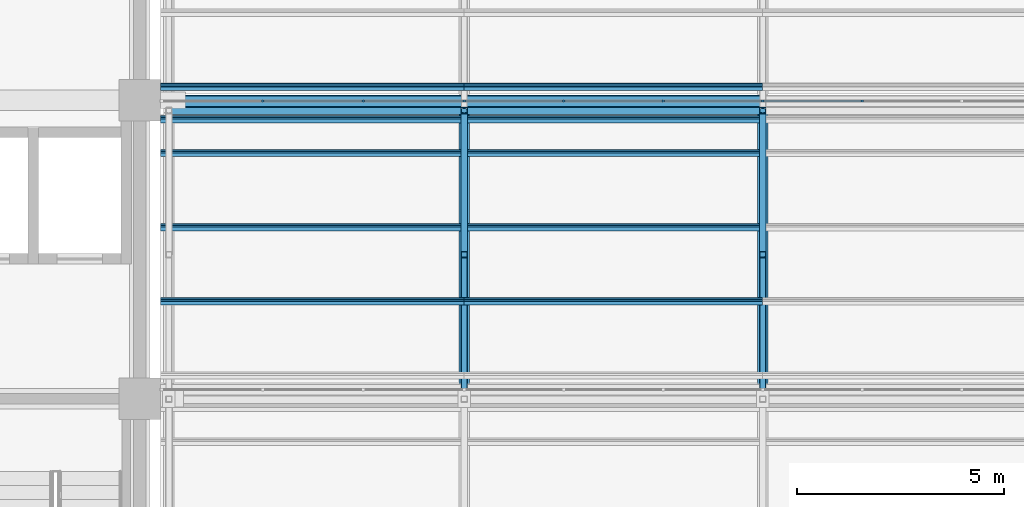
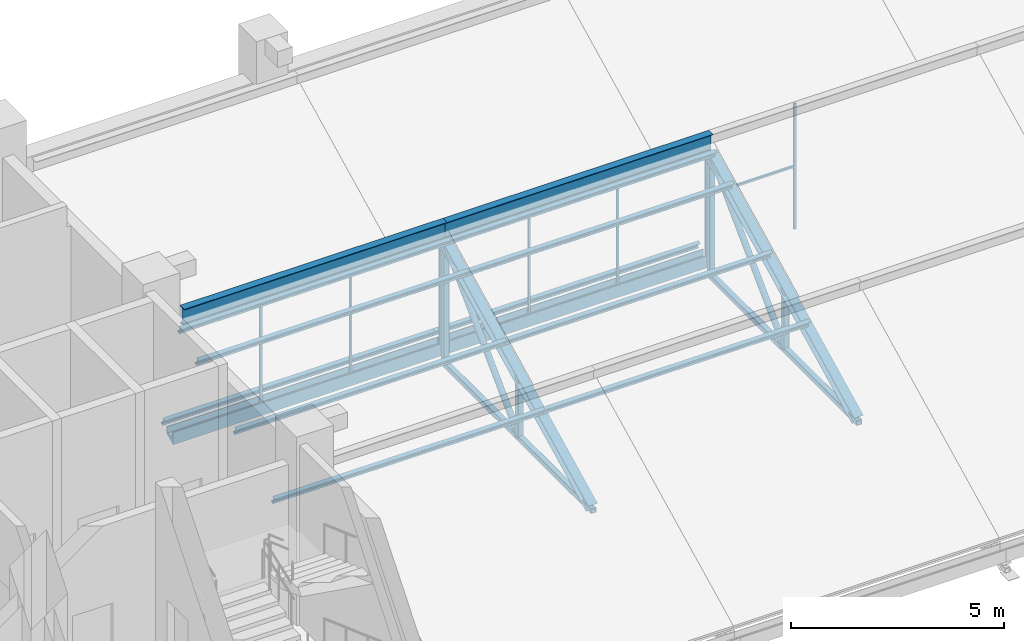
# One storey, part 10 of 83: 37 members, 3 elements without a shape of their own.
"""IFC4 building model written with IfcOpenShell, lengths in metres."""

import ifcopenshell
import ifcopenshell.guid

model = None  # the IFC model being written
_history = None  # IfcOwnerHistory: only IFC2X3 demands one
_inside = {}  # id of a spatial element -> (the spatial element, [elements in it])
_under = {}  # id of a project, library or spatial element -> (it, [spatial elements below it])
_declared = {}  # id of a project -> (the project, [libraries it declares])
_typed = {}  # id of a type object -> (the type object, [elements of that type])
_made_of = {}  # id of a material, layer set ... -> (it, [elements and type objects made of it])


def new_model(schema):
    """Start an empty IFC model of exactly this schema.

    Asked for "IFC4X3", IfcOpenShell would pick the latest addendum, in which some entities
    have other attributes; the version numbers below select the first issue.
    IFC2X3 requires an IfcOwnerHistory on every rooted entity: one is made here for all.
    """
    global model, _history
    if schema == "IFC4X3":
        model = ifcopenshell.file(schema_version=(4, 3, 0, 0))
    else:
        model = ifcopenshell.file(schema=schema)
    _inside.clear()
    _under.clear()
    _declared.clear()
    _typed.clear()
    _made_of.clear()
    _history = None
    if model.schema == "IFC2X3":
        org = make("IfcOrganization", Name="unknown")
        user = make(
            "IfcPersonAndOrganization",
            ThePerson=make("IfcPerson", FamilyName="unknown"),
            TheOrganization=org,
        )
        app = make(
            "IfcApplication",
            ApplicationDeveloper=org,
            Version="unknown",
            ApplicationFullName="unknown",
            ApplicationIdentifier="unknown",
        )
        _history = make(
            "IfcOwnerHistory",
            OwningUser=user,
            OwningApplication=app,
            ChangeAction="ADDED",
            CreationDate=0,
        )
    return model


def make(cls, **values):
    """One entity of the class cls with the attributes given. An attribute that is None is left unset."""
    return model.create_entity(
        cls, **{name: value for name, value in values.items() if value is not None}
    )


def rooted(cls, **values):
    """An entity with a GlobalId (a new one), such as an element, a storey or a relation."""
    return make(cls, GlobalId=ifcopenshell.guid.new(), OwnerHistory=_history, **values)


def si_unit(unit_type, name, prefix=None):
    """IfcSIUnit, for example si_unit("LENGTHUNIT", "METRE", prefix="MILLI")."""
    return make("IfcSIUnit", UnitType=unit_type, Prefix=prefix, Name=name)


def assignment(units):
    """IfcUnitAssignment: the units of a project."""
    return None if units is None else make("IfcUnitAssignment", Units=units)


def point(xyz):
    """IfcCartesianPoint."""
    return None if xyz is None else make("IfcCartesianPoint", Coordinates=xyz)


def direction(xyz):
    """IfcDirection."""
    return None if xyz is None else make("IfcDirection", DirectionRatios=xyz)


def frame(location, z_axis=None, x_axis=None):
    """IfcAxis2Placement3D, a coordinate frame: its origin and axes. An axis left out is left unset."""
    return make(
        "IfcAxis2Placement3D",
        Location=point(location),
        Axis=direction(z_axis),
        RefDirection=direction(x_axis),
    )


def frame_2d(location, x_axis=None):
    """IfcAxis2Placement2D, a coordinate frame in the plane: its origin and x axis."""
    return make(
        "IfcAxis2Placement2D", Location=point(location), RefDirection=direction(x_axis)
    )


def origin():
    """The frame at (0, 0, 0) with its axes left unset."""
    return frame((0.0, 0.0, 0.0))


def origin_2d():
    """The frame at (0, 0) in the plane with its x axis left unset."""
    return frame_2d((0.0, 0.0))


def place(relative_to, where):
    """IfcLocalPlacement: puts the frame where relative to a parent placement (None: the world)."""
    return make(
        "IfcLocalPlacement", PlacementRelTo=relative_to, RelativePlacement=where
    )


def context(
    kind, dimensions, precision=None, world=None, true_north=None, identifier=None
):
    """IfcGeometricRepresentationContext, for example the 3D "Model" context."""
    return make(
        "IfcGeometricRepresentationContext",
        ContextIdentifier=identifier,
        ContextType=kind,
        CoordinateSpaceDimension=dimensions,
        Precision=precision,
        WorldCoordinateSystem=world,
        TrueNorth=true_north,
    )


def subcontext(parent, identifier, kind, view, scale=None):
    """IfcGeometricRepresentationSubContext, for example "Body" below "Model"."""
    return make(
        "IfcGeometricRepresentationSubContext",
        ContextIdentifier=identifier,
        ContextType=kind,
        ParentContext=parent,
        TargetScale=scale,
        TargetView=view,
    )


def project(units=None, contexts=None):
    """IfcProject with its units and contexts."""
    return rooted(
        "IfcProject",
        Name="project",
        RepresentationContexts=contexts,
        UnitsInContext=assignment(units),
    )


def spatial(cls, under=None, at=None, **own):
    """A site, building, storey or space (cls), placed at a placement, below another one or the project."""
    s = rooted(cls, ObjectPlacement=at, **own)
    if under is not None:
        _under.setdefault(under.id(), (under, []))[1].append(s)
    return s


def polyline(points):
    """IfcPolyline through the points."""
    return make("IfcPolyline", Points=[point(p) for p in points])


def profile(cls, at=None, kind="AREA", **sizes):
    """A parametric profile (cls). Its sizes go by their IFC names, for example OverallWidth=200.0."""
    return make(cls, ProfileType=kind, Position=at, **sizes)


def rectangle(**sizes):
    """IfcRectangleProfileDef."""
    return profile("IfcRectangleProfileDef", **sizes)


def hollow_rectangle(**sizes):
    """IfcRectangleHollowProfileDef."""
    return profile("IfcRectangleHollowProfileDef", **sizes)


def hollow_circle(**sizes):
    """IfcCircleHollowProfileDef."""
    return profile("IfcCircleHollowProfileDef", **sizes)


def i_section(**sizes):
    """IfcIShapeProfileDef."""
    return profile("IfcIShapeProfileDef", **sizes)


def outline(outer, holes=None, kind="AREA"):
    """IfcArbitraryClosedProfileDef: a profile drawn as a closed curve; with holes, ...WithVoids."""
    if holes is None:
        return make("IfcArbitraryClosedProfileDef", ProfileType=kind, OuterCurve=outer)
    return make(
        "IfcArbitraryProfileDefWithVoids",
        ProfileType=kind,
        OuterCurve=outer,
        InnerCurves=holes,
    )


def extrude(swept, where, along, depth):
    """IfcExtrudedAreaSolid: the profile swept, set in the frame where, extruded along a direction by depth."""
    return make(
        "IfcExtrudedAreaSolid",
        SweptArea=swept,
        Position=where,
        ExtrudedDirection=direction(along),
        Depth=depth,
    )


def shape(context_of_items, identifier, shape_type, items):
    """IfcShapeRepresentation: the items that make up one representation, for example the "Body"."""
    return make(
        "IfcShapeRepresentation",
        ContextOfItems=context_of_items,
        RepresentationIdentifier=identifier,
        RepresentationType=shape_type,
        Items=items,
    )


def material(Name=None, Category=None):
    """IfcMaterial."""
    return make("IfcMaterial", Name=Name, Category=Category)


def material_profile(
    of_material, cross_section, Name=None, Category=None, Priority=None
):
    """IfcMaterialProfile: a cross section and its material."""
    return make(
        "IfcMaterialProfile",
        Name=Name,
        Material=of_material,
        Profile=cross_section,
        Priority=Priority,
        Category=Category,
    )


def profile_set(profiles, Name=None, composite=None):
    """IfcMaterialProfileSet."""
    return make(
        "IfcMaterialProfileSet",
        Name=Name,
        MaterialProfiles=profiles,
        CompositeProfile=composite,
    )


def made_of(thing, what):
    """Note that an element or type object is made of a material, layer set ...; save() writes the relation."""
    if what is not None:
        _made_of.setdefault(what.id(), (what, []))[1].append(thing)
    return thing


def type_object(cls, material=None, **own):
    """A type object (cls), such as IfcWallType, which elements share."""
    return made_of(rooted(cls, **own), material)


def element(
    cls,
    number,
    at=None,
    inside=None,
    cuts=None,
    type_object=None,
    material=None,
    context=None,
    identifier="Body",
    shape_type=None,
    held_by="IfcProductDefinitionShape",
    body=None,
    shapes=None,
    **own,
):
    """One element of the class cls, such as IfcWall. Its Tag is "e" and its number.

    at: its placement. inside: the storey or other place that contains it. cuts: it is an
    opening in that element (IfcRelVoidsElement). A single representation is given by context,
    identifier, shape_type and body (its items); several are given by shapes. held_by: the class
    of the entity that holds the representations. save() writes the other relations.
    """
    e = rooted(cls, Tag="e%d" % number, ObjectPlacement=at, **own)
    if body is not None:
        shapes = [shape(context, identifier, shape_type, body)]
    if shapes is not None:
        e.Representation = make(held_by, Representations=shapes)
    if inside is not None:
        _inside.setdefault(inside.id(), (inside, []))[1].append(e)
    if cuts is not None:
        rooted(
            "IfcRelVoidsElement", RelatingBuildingElement=cuts, RelatedOpeningElement=e
        )
    if type_object is not None:
        _typed.setdefault(type_object.id(), (type_object, []))[1].append(e)
    return made_of(e, material)


def aggregate(whole, parts):
    """IfcRelAggregates: a whole, such as a stair, and the parts it consists of."""
    return rooted("IfcRelAggregates", RelatingObject=whole, RelatedObjects=parts)


def save(model, path):
    """Write the relations noted so far, then the file.

    IfcRelAggregates (storeys below a building ...), IfcRelContainedInSpatialStructure (elements
    in a storey), IfcRelDefinesByType, IfcRelAssociatesMaterial and IfcRelDeclares: one each for
    every whole, place, type object, material and project.
    """
    for whole, parts in _under.values():
        aggregate(whole, parts)
    for where, things in _inside.values():
        rooted(
            "IfcRelContainedInSpatialStructure",
            RelatedElements=things,
            RelatingStructure=where,
        )
    for kind, things in _typed.values():
        rooted("IfcRelDefinesByType", RelatedObjects=things, RelatingType=kind)
    for what, things in _made_of.values():
        rooted("IfcRelAssociatesMaterial", RelatedObjects=things, RelatingMaterial=what)
    for by, libraries in _declared.values():
        rooted("IfcRelDeclares", RelatingContext=by, RelatedDefinitions=libraries)
    model.write(path)


model = new_model("IFC4")

# Units and contexts
model_context = context("Model", 3, precision=1e-05, world=origin(), true_north=direction((0.0, 1.0)))
body_context = subcontext(model_context, "Body", "Model", "MODEL_VIEW")
ifc_project = project(units=[si_unit("LENGTHUNIT", "METRE"), si_unit("AREAUNIT", "SQUARE_METRE"), si_unit("VOLUMEUNIT", "CUBIC_METRE"), si_unit("PLANEANGLEUNIT", "RADIAN"), si_unit("MASSUNIT", "GRAM", prefix="KILO")], contexts=[model_context])

# Site, building, storey
site_placement = place(None, origin())
site = spatial("IfcSite", under=ifc_project, at=site_placement, CompositionType="ELEMENT")
building_placement = place(site_placement, origin())
building = spatial("IfcBuilding", under=site, at=building_placement, Name="Silangan Lancet Faculty of Sciences", CompositionType="ELEMENT")
storey_placement = place(building_placement, frame((0.0, 0.0, 11.39990234375)))
storey = spatial("IfcBuildingStorey", under=building, at=storey_placement, Name="L02", CompositionType="ELEMENT", Elevation=11.39990234375)

# Members
ifc_material_1 = material(Name="Steel SS400", Category="steel")
ifc_material_profile_1 = material_profile(ifc_material_1, i_section(OverallWidth=0.199951171875, OverallDepth=0.5, WebThickness=0.010009765625, FlangeThickness=0.01611328125, FilletRadius=0.02001953125, at=origin_2d()), Name="H 500x200x10x16")
ifc_profile_set_1 = profile_set([ifc_material_profile_1], Name="Steel SS400")
member_type_1 = type_object("IfcMemberType", Name="Exposed ridge beam H 500x200x10x16", PredefinedType="MEMBER", material=ifc_profile_set_1)
member_1_placement = place(storey_placement, frame((29.5, 14.1533203125, 3.9326171875), z_axis=(1.0, 0.0, 0.0), x_axis=(0.0, 1.0, 0.0)))
element("IfcMember", 1, at=member_1_placement, inside=storey, type_object=member_type_1, Name="Exposed ridge beam SAB-2-1", PredefinedType="MEMBER", context=body_context, shape_type="SweptSolid", body=[
    extrude(i_section(OverallWidth=0.199951171875, OverallDepth=0.5, WebThickness=0.010009765625, FlangeThickness=0.01611328125, FilletRadius=0.02001953125, at=origin_2d()), origin(), (0.0, 0.0, 1.0), 7.125),
])
member_2_placement = place(storey_placement, frame((36.625, 14.1533203125, 3.9326171875), z_axis=(1.0, 0.0, 0.0), x_axis=(0.0, 1.0, 0.0)))
element("IfcMember", 2, at=member_2_placement, inside=storey, type_object=member_type_1, Name="Exposed ridge beam SAB-2-2", PredefinedType="MEMBER", context=body_context, shape_type="SweptSolid", body=[
    extrude(i_section(OverallWidth=0.199951171875, OverallDepth=0.5, WebThickness=0.010009765625, FlangeThickness=0.01611328125, FilletRadius=0.02001953125, at=origin_2d()), origin(), (0.0, 0.0, 1.0), 7.199951171875),
])

# Curtain wall, members
ifc_material_2 = material(Name="Aluminium and laminated glass", Category="aluminium")
curtain_wall_type = type_object("IfcCurtainWallType", Name="North light glazing system", PredefinedType="NOTDEFINED", material=ifc_material_2)
curtain_wall_1_placement = place(storey_placement, origin())
curtain_wall_1 = element("IfcCurtainWall", 3, at=curtain_wall_1_placement, inside=storey, type_object=curtain_wall_type, Name="North light glazing SAB-2-1", PredefinedType="NOTDEFINED")
ifc_material_3 = material(Name="Aluminium 6063-T6", Category="aluminium")
ifc_material_profile_2 = material_profile(ifc_material_3, rectangle(XDim=0.06005859375, YDim=0.050048828125, at=origin_2d()), Name="AL 60x50")
ifc_profile_set_2 = profile_set([ifc_material_profile_2], Name="Aluminium 6063-T6")
member_type_2 = type_object("IfcMemberType", Name="North light mullion 60x50", PredefinedType="MULLION", material=ifc_profile_set_2)
member_3_placement = place(storey_placement, frame((31.76171875, 14.37841796875, 0.4423828125), z_axis=(0.0, 0.0, 1.0), x_axis=(1.0, 0.0, 0.0)))
member_3 = element("IfcMember", 4, at=member_3_placement, type_object=member_type_2, Name="North light mullion SAB-2-1 2", PredefinedType="MULLION", context=body_context, shape_type="SweptSolid", body=[
    extrude(rectangle(XDim=0.06005859375, YDim=0.050048828125, at=origin_2d()), origin(), (0.0, 0.0, 1.0), 3.595947265625),
])
member_4_placement = place(storey_placement, frame((34.193359375, 14.37841796875, 0.4423828125), z_axis=(0.0, 0.0, 1.0), x_axis=(1.0, 0.0, 0.0)))
member_4 = element("IfcMember", 5, at=member_4_placement, type_object=member_type_2, Name="North light mullion SAB-2-1 3", PredefinedType="MULLION", context=body_context, shape_type="SweptSolid", body=[
    extrude(rectangle(XDim=0.06005859375, YDim=0.050048828125, at=origin_2d()), origin(), (0.0, 0.0, 1.0), 3.595947265625),
])

curtain_wall_2_placement = place(storey_placement, origin())
curtain_wall_2 = element("IfcCurtainWall", 6, at=curtain_wall_2_placement, inside=storey, type_object=curtain_wall_type, Name="North light glazing SAB-2-2", PredefinedType="NOTDEFINED")
member_5_placement = place(storey_placement, frame((36.625, 14.37841796875, 0.4423828125), z_axis=(0.0, 0.0, 1.0), x_axis=(1.0, 0.0, 0.0)))
member_5 = element("IfcMember", 7, at=member_5_placement, type_object=member_type_2, Name="North light mullion SAB-2-2 1", PredefinedType="MULLION", context=body_context, shape_type="SweptSolid", body=[
    extrude(rectangle(XDim=0.06005859375, YDim=0.050048828125, at=origin_2d()), origin(), (0.0, 0.0, 1.0), 3.595947265625),
])
member_6_placement = place(storey_placement, frame((39.02490234375, 14.37841796875, 0.4423828125), z_axis=(0.0, 0.0, 1.0), x_axis=(1.0, 0.0, 0.0)))
member_6 = element("IfcMember", 8, at=member_6_placement, type_object=member_type_2, Name="North light mullion SAB-2-2 2", PredefinedType="MULLION", context=body_context, shape_type="SweptSolid", body=[
    extrude(rectangle(XDim=0.06005859375, YDim=0.050048828125, at=origin_2d()), origin(), (0.0, 0.0, 1.0), 3.595947265625),
])
member_7_placement = place(storey_placement, frame((41.425048828125, 14.37841796875, 0.4423828125), z_axis=(0.0, 0.0, 1.0), x_axis=(1.0, 0.0, 0.0)))
member_7 = element("IfcMember", 9, at=member_7_placement, type_object=member_type_2, Name="North light mullion SAB-2-2 3", PredefinedType="MULLION", context=body_context, shape_type="SweptSolid", body=[
    extrude(rectangle(XDim=0.06005859375, YDim=0.050048828125, at=origin_2d()), origin(), (0.0, 0.0, 1.0), 3.595947265625),
])

curtain_wall_3_placement = place(storey_placement, origin())
curtain_wall_3 = element("IfcCurtainWall", 10, at=curtain_wall_3_placement, inside=storey, type_object=curtain_wall_type, Name="North light glazing SAB-2-3", PredefinedType="NOTDEFINED")
member_8_placement = place(storey_placement, frame((43.824951171875, 14.37841796875, 0.4423828125), z_axis=(0.0, 0.0, 1.0), x_axis=(1.0, 0.0, 0.0)))
member_8 = element("IfcMember", 11, at=member_8_placement, type_object=member_type_2, Name="North light mullion SAB-2-3 1", PredefinedType="MULLION", context=body_context, shape_type="SweptSolid", body=[
    extrude(rectangle(XDim=0.06005859375, YDim=0.050048828125, at=origin_2d()), origin(), (0.0, 0.0, 1.0), 3.595947265625),
])
member_9_placement = place(storey_placement, frame((46.22509765625, 14.37841796875, 0.4423828125), z_axis=(0.0, 0.0, 1.0), x_axis=(1.0, 0.0, 0.0)))
member_9 = element("IfcMember", 12, at=member_9_placement, type_object=member_type_2, Name="North light mullion SAB-2-3 2", PredefinedType="MULLION", context=body_context, shape_type="SweptSolid", body=[
    extrude(rectangle(XDim=0.06005859375, YDim=0.050048828125, at=origin_2d()), origin(), (0.0, 0.0, 1.0), 3.595947265625),
])

# Member
ifc_material_4 = material(Name="Aluminium 6063-T6", Category="aluminium")
ifc_material_profile_3 = material_profile(ifc_material_4, rectangle(XDim=0.050048828125, YDim=0.06005859375, at=origin_2d()), Name="AL 50x60")
ifc_profile_set_3 = profile_set([ifc_material_profile_3], Name="Aluminium 6063-T6")
member_type_3 = type_object("IfcMemberType", Name="North light transom 50x60", PredefinedType="USERDEFINED", material=ifc_profile_set_3)
member_10_placement = place(storey_placement, frame((31.791748046875, 14.37841796875, 2.240478515625), z_axis=(1.0, 0.0, 0.0), x_axis=(0.0, 1.0, 0.0)))
member_10 = element("IfcMember", 13, at=member_10_placement, type_object=member_type_3, Name="North light transom SAB-2-1 2", ObjectType="TRANSOM", PredefinedType="USERDEFINED", context=body_context, shape_type="SweptSolid", body=[
    extrude(rectangle(XDim=0.050048828125, YDim=0.06005859375, at=origin_2d()), origin(), (0.0, 0.0, 1.0), 2.37158203125),
])

member_11_placement = place(storey_placement, frame((34.223388671875, 14.37841796875, 2.240478515625), z_axis=(1.0, 0.0, 0.0), x_axis=(0.0, 1.0, 0.0)))
member_11 = element("IfcMember", 14, at=member_11_placement, type_object=member_type_3, Name="North light transom SAB-2-1 3", ObjectType="TRANSOM", PredefinedType="USERDEFINED", context=body_context, shape_type="SweptSolid", body=[
    extrude(rectangle(XDim=0.050048828125, YDim=0.06005859375, at=origin_2d()), origin(), (0.0, 0.0, 1.0), 2.37158203125),
])

aggregate(curtain_wall_1, [member_3, member_4, member_10, member_11])

member_12_placement = place(storey_placement, frame((36.655029296875, 14.37841796875, 2.240478515625), z_axis=(1.0, 0.0, 0.0), x_axis=(0.0, 1.0, 0.0)))
member_12 = element("IfcMember", 15, at=member_12_placement, type_object=member_type_3, Name="North light transom SAB-2-2 1", ObjectType="TRANSOM", PredefinedType="USERDEFINED", context=body_context, shape_type="SweptSolid", body=[
    extrude(rectangle(XDim=0.050048828125, YDim=0.06005859375, at=origin_2d()), origin(), (0.0, 0.0, 1.0), 2.340087890625),
])

member_13_placement = place(storey_placement, frame((39.054931640625, 14.37841796875, 2.240478515625), z_axis=(1.0, 0.0, 0.0), x_axis=(0.0, 1.0, 0.0)))
member_13 = element("IfcMember", 16, at=member_13_placement, type_object=member_type_3, Name="North light transom SAB-2-2 2", ObjectType="TRANSOM", PredefinedType="USERDEFINED", context=body_context, shape_type="SweptSolid", body=[
    extrude(rectangle(XDim=0.050048828125, YDim=0.06005859375, at=origin_2d()), origin(), (0.0, 0.0, 1.0), 2.340087890625),
])

member_14_placement = place(storey_placement, frame((41.455078125, 14.37841796875, 2.240478515625), z_axis=(1.0, 0.0, 0.0), x_axis=(0.0, 1.0, 0.0)))
member_14 = element("IfcMember", 17, at=member_14_placement, type_object=member_type_3, Name="North light transom SAB-2-2 3", ObjectType="TRANSOM", PredefinedType="USERDEFINED", context=body_context, shape_type="SweptSolid", body=[
    extrude(rectangle(XDim=0.050048828125, YDim=0.06005859375, at=origin_2d()), origin(), (0.0, 0.0, 1.0), 2.33984375),
])

aggregate(curtain_wall_2, [member_5, member_6, member_7, member_12, member_13, member_14])

member_15_placement = place(storey_placement, frame((43.85498046875, 14.37841796875, 2.240478515625), z_axis=(1.0, 0.0, 0.0), x_axis=(0.0, 1.0, 0.0)))
member_15 = element("IfcMember", 18, at=member_15_placement, type_object=member_type_3, Name="North light transom SAB-2-3 1", ObjectType="TRANSOM", PredefinedType="USERDEFINED", context=body_context, shape_type="SweptSolid", body=[
    extrude(rectangle(XDim=0.050048828125, YDim=0.06005859375, at=origin_2d()), origin(), (0.0, 0.0, 1.0), 2.340087890625),
])

aggregate(curtain_wall_3, [member_8, member_9, member_15])

# Members
ifc_material_5 = material(Name="Steel SS400", Category="steel")
ifc_material_profile_4 = material_profile(ifc_material_5, i_section(OverallWidth=0.10009765625, OverallDepth=0.199951171875, WebThickness=0.005615234375, FlangeThickness=0.008056640625, FilletRadius=0.008056640625, at=origin_2d()), Name="H 200x100x5.5x8")
ifc_profile_set_4 = profile_set([ifc_material_profile_4], Name="Steel SS400")
member_type_4 = type_object("IfcMemberType", Name="Sheeting purlin H 200x100x5.5x8", PredefinedType="PURLIN", material=ifc_profile_set_4)
for number, where, z_axis, x_axis, name in (
    (19, (29.300048828125, 9.55078125, 1.526123046875), (1.0, 0.0, 0.0), (0.0, 0.894427192382, 0.447213592736), "Sheeting purlin SAB-2-1 2"),
    (20, (29.300048828125, 11.339599609375, 2.420654296875), (1.0, 0.0, 0.0), (0.0, 0.894427192382, 0.447213592736), "Sheeting purlin SAB-2-1 3"),
    (21, (29.300048828125, 13.12841796875, 3.31494140625), (1.0, 0.0, 0.0), (0.0, 0.894427192382, 0.447213592736), "Sheeting purlin SAB-2-1 4"),
    (22, (29.300048828125, 13.9453125, 3.723388671875), (1.0, 0.0, 0.0), (0.0, 0.894427192382, 0.447213592736), "Sheeting purlin SAB-2-1 5"),
    (23, (29.300048828125, 14.723388671875, 0.6318359375), (1.0, 0.0, 0.0), (0.0, 0.894427192382, 0.447213592736), "Sheeting purlin SAB-3-1 1"),
):
    element("IfcMember", number, at=place(storey_placement, frame(where, z_axis=z_axis, x_axis=x_axis)), inside=storey, type_object=member_type_4, Name=name, PredefinedType="PURLIN", context=body_context, shape_type="SweptSolid", body=[
        extrude(i_section(OverallWidth=0.10009765625, OverallDepth=0.199951171875, WebThickness=0.005615234375, FlangeThickness=0.008056640625, FilletRadius=0.008056640625, at=origin_2d()), origin(), (0.0, 0.0, 1.0), 7.324951171875),
    ])
for number, where, z_axis, x_axis, name in (
    (24, (36.625, 9.55078125, 1.526123046875), (1.0, 0.0, 0.0), (0.0, 0.894427192382, 0.447213592736), "Sheeting purlin SAB-2-2 2"),
    (25, (36.625, 11.339599609375, 2.420654296875), (1.0, 0.0, 0.0), (0.0, 0.894427192382, 0.447213592736), "Sheeting purlin SAB-2-2 3"),
    (26, (36.625, 13.12841796875, 3.31494140625), (1.0, 0.0, 0.0), (0.0, 0.894427192382, 0.447213592736), "Sheeting purlin SAB-2-2 4"),
    (27, (36.625, 13.9453125, 3.723388671875), (1.0, 0.0, 0.0), (0.0, 0.894427192382, 0.447213592736), "Sheeting purlin SAB-2-2 5"),
    (28, (36.625, 14.723388671875, 0.6318359375), (1.0, 0.0, 0.0), (0.0, 0.894427192382, 0.447213592736), "Sheeting purlin SAB-3-2 1"),
):
    element("IfcMember", number, at=place(storey_placement, frame(where, z_axis=z_axis, x_axis=x_axis)), inside=storey, type_object=member_type_4, Name=name, PredefinedType="PURLIN", context=body_context, shape_type="SweptSolid", body=[
        extrude(i_section(OverallWidth=0.10009765625, OverallDepth=0.199951171875, WebThickness=0.005615234375, FlangeThickness=0.008056640625, FilletRadius=0.008056640625, at=origin_2d()), origin(), (0.0, 0.0, 1.0), 7.199951171875),
    ])
ifc_material_6 = material(Name="Steel STKR400", Category="steel")
ifc_material_profile_5 = material_profile(ifc_material_6, hollow_rectangle(XDim=0.14990234375, YDim=0.14990234375, WallThickness=0.009033203125, InnerFilletRadius=0.009033203125, OuterFilletRadius=0.01806640625, at=origin_2d()), Name="SHS 150x150x9.0")
ifc_profile_set_5 = profile_set([ifc_material_profile_5], Name="Steel STKR400")
member_type_5 = type_object("IfcMemberType", Name="Truss bottom chord SHS 150x150x9.0", PredefinedType="CHORD", material=ifc_profile_set_5)
for number, where, z_axis, x_axis, name in (
    (29, (36.625, 7.191650390625, 0.09521484375), (0.0, 1.0, 0.0), (-1.0, 0.0, 0.0), "Truss 2 bottom chord 2"),
    (30, (43.824951171875, 7.191650390625, 0.09521484375), (0.0, 1.0, 0.0), (-1.0, 0.0, 0.0), "Truss 3 bottom chord 2"),
):
    element("IfcMember", number, at=place(storey_placement, frame(where, z_axis=z_axis, x_axis=x_axis)), inside=storey, type_object=member_type_5, Name=name, PredefinedType="CHORD", context=body_context, shape_type="SweptSolid", body=[
        extrude(hollow_rectangle(XDim=0.14990234375, YDim=0.14990234375, WallThickness=0.009033203125, InnerFilletRadius=0.009033203125, OuterFilletRadius=0.01806640625, at=origin_2d()), origin(), (0.0, 0.0, 1.0), 6.961669921875),
    ])
ifc_material_7 = material(Name="Steel STK400", Category="steel")
ifc_material_profile_6 = material_profile(ifc_material_7, hollow_circle(Radius=0.08251953125, WallThickness=0.0048828125, at=origin_2d()), Name="CHS 165.2x5.0")
ifc_profile_set_6 = profile_set([ifc_material_profile_6], Name="Steel STK400")
member_type_6 = type_object("IfcMemberType", Name="Truss diagonal CHS 165.2x5.0", PredefinedType="BRACE", material=ifc_profile_set_6)
for number, where, z_axis, x_axis, name in (
    (31, (36.625, 10.672607421875, 0.09521484375), (0.0, 0.707106781187, 0.707106781187), (-1.0, 0.0, 0.0), "Truss 2 diagonal 2"),
    (32, (43.824951171875, 10.672607421875, 0.09521484375), (0.0, 0.707106781187, 0.707106781187), (-1.0, 0.0, 0.0), "Truss 3 diagonal 2"),
):
    element("IfcMember", number, at=place(storey_placement, frame(where, z_axis=z_axis, x_axis=x_axis)), inside=storey, type_object=member_type_6, Name=name, PredefinedType="BRACE", context=body_context, shape_type="SweptSolid", body=[
        extrude(hollow_circle(Radius=0.08251953125, WallThickness=0.0048828125, at=origin_2d()), origin(), (0.0, 0.0, 1.0), 4.92236328125),
    ])
ifc_material_8 = material(Name="Steel STKR400", Category="steel")
ifc_material_profile_7 = material_profile(ifc_material_8, hollow_rectangle(XDim=0.14990234375, YDim=0.14990234375, WallThickness=0.006103515625, InnerFilletRadius=0.006103515625, OuterFilletRadius=0.011962890625, at=origin_2d()), Name="SHS 150x150x6.0")
ifc_profile_set_7 = profile_set([ifc_material_profile_7], Name="Steel STKR400")
member_type_7 = type_object("IfcMemberType", Name="Truss post SHS 150x150x6.0", PredefinedType="POST", material=ifc_profile_set_7)
member_16_placement = place(storey_placement, frame((36.625, 14.1533203125, 0.09521484375), z_axis=(0.0, 0.0, 1.0), x_axis=(1.0, 0.0, 0.0)))
element("IfcMember", 33, at=member_16_placement, inside=storey, type_object=member_type_7, Name="Truss 2 riser post 2", PredefinedType="POST", context=body_context, shape_type="SweptSolid", body=[
    extrude(hollow_rectangle(XDim=0.14990234375, YDim=0.14990234375, WallThickness=0.006103515625, InnerFilletRadius=0.006103515625, OuterFilletRadius=0.011962890625, at=origin_2d()), origin(), (0.0, 0.0, 1.0), 3.480712890625),
])
member_17_placement = place(storey_placement, frame((36.625, 10.672607421875, 0.09521484375), z_axis=(0.0, 0.0, 1.0), x_axis=(1.0, 0.0, 0.0)))
element("IfcMember", 34, at=member_17_placement, inside=storey, type_object=member_type_7, Name="Truss 2 mid post 2", PredefinedType="POST", context=body_context, shape_type="SweptSolid", body=[
    extrude(hollow_rectangle(XDim=0.14990234375, YDim=0.14990234375, WallThickness=0.006103515625, InnerFilletRadius=0.006103515625, OuterFilletRadius=0.011962890625, at=origin_2d()), origin(), (0.0, 0.0, 1.0), 1.740234375),
])
member_18_placement = place(storey_placement, frame((43.824951171875, 14.1533203125, 0.09521484375), z_axis=(0.0, 0.0, 1.0), x_axis=(1.0, 0.0, 0.0)))
element("IfcMember", 35, at=member_18_placement, inside=storey, type_object=member_type_7, Name="Truss 3 riser post 2", PredefinedType="POST", context=body_context, shape_type="SweptSolid", body=[
    extrude(hollow_rectangle(XDim=0.14990234375, YDim=0.14990234375, WallThickness=0.006103515625, InnerFilletRadius=0.006103515625, OuterFilletRadius=0.011962890625, at=origin_2d()), origin(), (0.0, 0.0, 1.0), 3.480712890625),
])
member_19_placement = place(storey_placement, frame((43.824951171875, 10.672607421875, 0.09521484375), z_axis=(0.0, 0.0, 1.0), x_axis=(1.0, 0.0, 0.0)))
element("IfcMember", 36, at=member_19_placement, inside=storey, type_object=member_type_7, Name="Truss 3 mid post 2", PredefinedType="POST", context=body_context, shape_type="SweptSolid", body=[
    extrude(hollow_rectangle(XDim=0.14990234375, YDim=0.14990234375, WallThickness=0.006103515625, InnerFilletRadius=0.006103515625, OuterFilletRadius=0.011962890625, at=origin_2d()), origin(), (0.0, 0.0, 1.0), 1.740234375),
])
ifc_material_9 = material(Name="Steel SS400", Category="steel")
ifc_material_profile_8 = material_profile(ifc_material_9, i_section(OverallWidth=0.25, OverallDepth=0.25, WebThickness=0.009033203125, FlangeThickness=0.013916015625, FilletRadius=0.01611328125, at=origin_2d()), Name="H 250x250x9x14")
ifc_profile_set_8 = profile_set([ifc_material_profile_8], Name="Steel SS400")
member_type_8 = type_object("IfcMemberType", Name="Truss top chord H 250x250x9x14", PredefinedType="CHORD", material=ifc_profile_set_8)
for number, where, z_axis, x_axis, name in (
    (37, (36.625, 7.272216796875, 0.13525390625), (0.0, 0.894420844124, 0.447226289027), (-1.0, 0.0, 0.0), "Truss 2 top chord 2"),
    (38, (43.824951171875, 7.272216796875, 0.13525390625), (0.0, 0.894420844124, 0.447226289027), (-1.0, 0.0, 0.0), "Truss 3 top chord 2"),
):
    element("IfcMember", number, at=place(storey_placement, frame(where, z_axis=z_axis, x_axis=x_axis)), inside=storey, type_object=member_type_8, Name=name, PredefinedType="CHORD", context=body_context, shape_type="SweptSolid", body=[
        extrude(i_section(OverallWidth=0.25, OverallDepth=0.25, WebThickness=0.009033203125, FlangeThickness=0.013916015625, FilletRadius=0.01611328125, at=origin_2d()), origin(), (0.0, 0.0, 1.0), 7.693359375),
    ])
ifc_material_10 = material(Name="Stainless steel", Category="steel")
ifc_material_profile_9 = material_profile(ifc_material_10, outline(polyline([(-0.14990234375, 0.0), (0.14990234375, 0.14990234375), (0.14990234375, 0.35009765625), (0.1298828125, 0.35009765625), (0.1298828125, 0.169921875), (-0.1298828125, 0.169921875), (-0.1298828125, 0.35009765625), (-0.14990234375, 0.35009765625), (-0.14990234375, 0.0)])), Name="valley gutter")
ifc_profile_set_9 = profile_set([ifc_material_profile_9], Name="Stainless steel")
member_type_9 = type_object("IfcMemberType", Name="Valley gutter 300 wide", PredefinedType="USERDEFINED", material=ifc_profile_set_9)
member_20_placement = place(storey_placement, frame((29.300048828125, 14.37841796875, 0.2724609375), z_axis=(1.0, 0.0, 0.0), x_axis=(0.0, 1.0, 0.0)))
element("IfcMember", 39, at=member_20_placement, inside=storey, type_object=member_type_9, Name="Valley gutter SAB-3-1", ObjectType="GUTTER", PredefinedType="USERDEFINED", context=body_context, shape_type="SweptSolid", body=[
    extrude(outline(polyline([(-0.14990234375, 0.0), (0.14990234375, 0.14990234375), (0.14990234375, 0.35009765625), (0.1298828125, 0.35009765625), (0.1298828125, 0.169921875), (-0.1298828125, 0.169921875), (-0.1298828125, 0.35009765625), (-0.14990234375, 0.35009765625), (-0.14990234375, 0.0)])), origin(), (0.0, 0.0, 1.0), 7.324951171875),
])
member_21_placement = place(storey_placement, frame((36.625, 14.37841796875, 0.2724609375), z_axis=(1.0, 0.0, 0.0), x_axis=(0.0, 1.0, 0.0)))
element("IfcMember", 40, at=member_21_placement, inside=storey, type_object=member_type_9, Name="Valley gutter SAB-3-2", ObjectType="GUTTER", PredefinedType="USERDEFINED", context=body_context, shape_type="SweptSolid", body=[
    extrude(outline(polyline([(-0.14990234375, 0.0), (0.14990234375, 0.14990234375), (0.14990234375, 0.35009765625), (0.1298828125, 0.35009765625), (0.1298828125, 0.169921875), (-0.1298828125, 0.169921875), (-0.1298828125, 0.35009765625), (-0.14990234375, 0.35009765625), (-0.14990234375, 0.0)])), origin(), (0.0, 0.0, 1.0), 7.199951171875),
])

save(model, "model.ifc")
